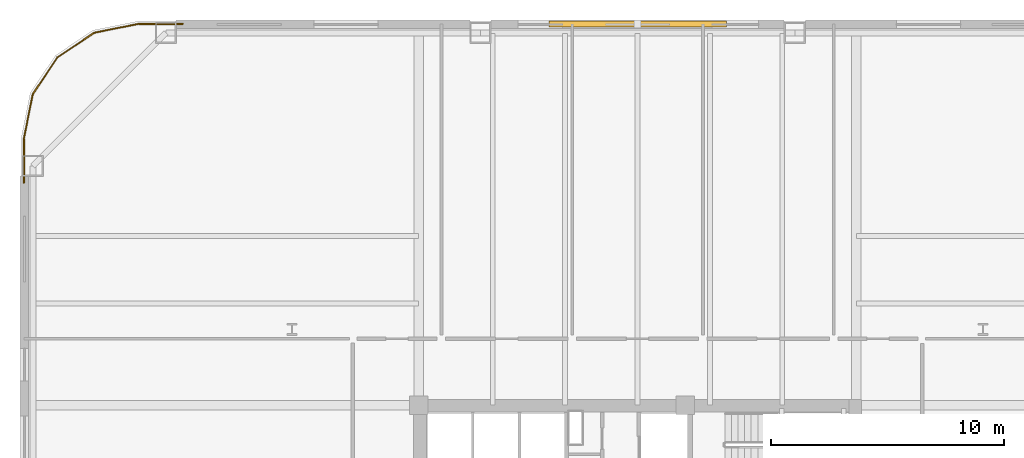
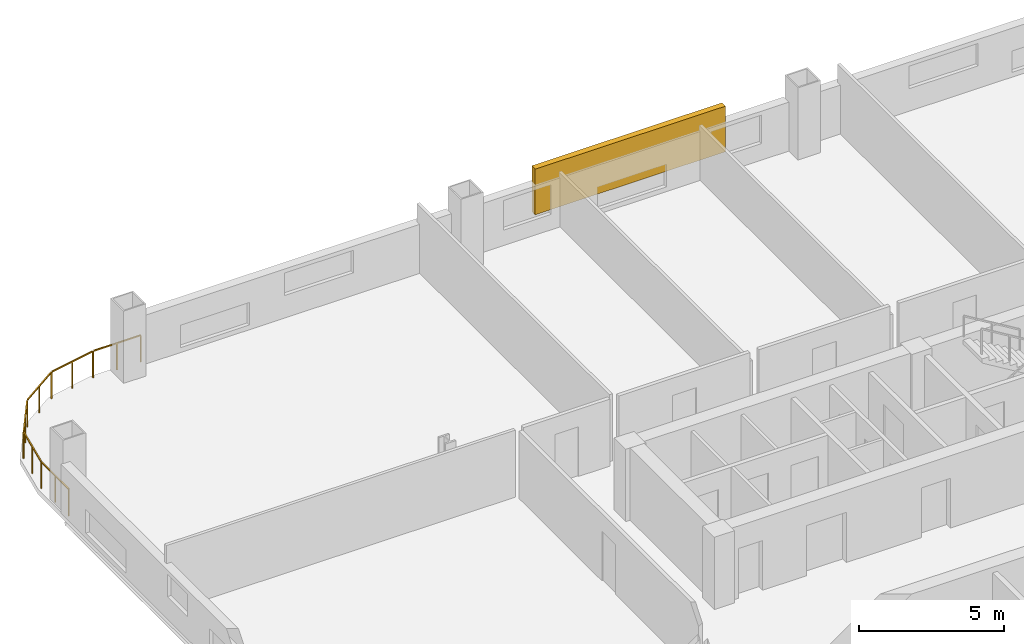
# One storey, part 11 of 12: 1 railing, 1 shading device.
"""IFC4 building model written with IfcOpenShell, lengths in metres."""

from ifc_helpers import new_model, si_unit, direction, frame, origin, origin_2d, place, context, subcontext, project, spatial, rectangle, extrude, material, type_object, element, save


model = new_model("IFC4")

# Units and contexts
model_context = context("Model", 3, precision=1e-05, world=origin(), true_north=direction((0.0, 1.0)))
body_context = subcontext(model_context, "Body", "Model", "MODEL_VIEW")
ifc_project = project(units=[si_unit("LENGTHUNIT", "METRE"), si_unit("AREAUNIT", "SQUARE_METRE"), si_unit("VOLUMEUNIT", "CUBIC_METRE"), si_unit("PLANEANGLEUNIT", "RADIAN"), si_unit("MASSUNIT", "GRAM", prefix="KILO")], contexts=[model_context])

# Site, building, storey
site_placement = place(None, origin())
site = spatial("IfcSite", under=ifc_project, at=site_placement, CompositionType="ELEMENT")
building_placement = place(site_placement, origin())
building = spatial("IfcBuilding", under=site, at=building_placement, Name="Qhalaya Broadcast Tower", CompositionType="ELEMENT")
storey_placement = place(building_placement, frame((0.0, 0.0, 41.35009765625)))
storey = spatial("IfcBuildingStorey", under=building, at=storey_placement, Name="L11", CompositionType="ELEMENT", Elevation=41.35009765625)

# Railing
ifc_material_1 = material(Name="Powder-Coated Galvanised Steel", Category="steel")
railing_type = type_object("IfcRailingType", Name="Terrace, Sky-Pool & Lookout Glass Balustrade 1150", PredefinedType="BALUSTRADE", material=ifc_material_1)
railing_placement = place(storey_placement, frame((-26.280029296875, 19.48193359375, 0.0)))
element("IfcRailing", 1, at=railing_placement, inside=storey, type_object=railing_type, Name="L11 Rounded Corner Perimeter Guard 03", PredefinedType="BALUSTRADE", context=body_context, shape_type="SweptSolid", body=[
    extrude(rectangle(XDim=0.048095703125, YDim=0.048095703125, at=origin_2d()), frame((0.0, 0.0, 1.1259765625), z_axis=(0.0, 1.0, 0.0), x_axis=(-1.0, 0.0, 0.0)), (0.0, 0.0, 1.0), 1.87744140625),
    extrude(rectangle(XDim=0.048095703125, YDim=0.048095703125, at=origin_2d()), frame((0.005615234375, 1.9345703125, 1.1259765625), z_axis=(0.195037378397, 0.980795810058, 0.0), x_axis=(-0.980795810058, 0.195037378397, 0.0)), (0.0, 0.0, 1.0), 1.857421875),
    extrude(rectangle(XDim=0.048095703125, YDim=0.048095703125, at=origin_2d()), frame((0.3896484375, 3.80859375, 1.1259765625), z_axis=(0.555558355728, 0.831477548332, 0.0), x_axis=(-0.831477548332, 0.555558355728, 0.0)), (0.0, 0.0, 1.0), 1.845458984375),
    extrude(rectangle(XDim=0.048095703125, YDim=0.048095703125, at=origin_2d()), frame((1.454833984375, 5.38330078125, 1.1259765625), z_axis=(0.831477548332, 0.555558355728, 0.0), x_axis=(-0.555558355728, 0.831477548332, 0.0)), (0.0, 0.0, 1.0), 1.845458984375),
    extrude(rectangle(XDim=0.048095703125, YDim=0.048095703125, at=origin_2d()), frame((3.041748046875, 6.43017578125, 1.1259765625), z_axis=(0.980795810058, 0.195037378397, 0.0), x_axis=(-0.195037378397, 0.980795810058, 0.0)), (0.0, 0.0, 1.0), 1.857421875),
    extrude(rectangle(XDim=0.048095703125, YDim=0.048095703125, at=origin_2d()), frame((4.920654296875, 6.798095703125, 1.1259765625), z_axis=(1.0, 0.0, 0.0), x_axis=(0.0, 1.0, 0.0)), (0.0, 0.0, 1.0), 1.87744140625),
    extrude(rectangle(XDim=0.0419921875, YDim=0.0419921875, at=origin_2d()), origin(), (0.0, 0.0, 1.0), 1.099853515625),
    extrude(rectangle(XDim=0.0419921875, YDim=0.0419921875, at=origin_2d()), frame((0.0, 0.953125, 0.0)), (0.0, 0.0, 1.0), 1.099853515625),
    extrude(rectangle(XDim=0.0419921875, YDim=0.0419921875, at=origin_2d()), frame((0.0, 1.90625, 0.0)), (0.0, 0.0, 1.0), 1.099853515625),
    extrude(rectangle(XDim=0.0419921875, YDim=0.0419921875, at=origin_2d()), frame((0.186767578125, 2.845458984375, 0.0)), (0.0, 0.0, 1.0), 1.099853515625),
    extrude(rectangle(XDim=0.0419921875, YDim=0.0419921875, at=origin_2d()), frame((0.37353515625, 3.78466796875, 0.0)), (0.0, 0.0, 1.0), 1.099853515625),
    extrude(rectangle(XDim=0.0419921875, YDim=0.0419921875, at=origin_2d()), frame((0.90234375, 4.575927734375, 0.0)), (0.0, 0.0, 1.0), 1.099853515625),
    extrude(rectangle(XDim=0.0419921875, YDim=0.0419921875, at=origin_2d()), frame((1.430908203125, 5.3671875, 0.0)), (0.0, 0.0, 1.0), 1.099853515625),
    extrude(rectangle(XDim=0.0419921875, YDim=0.0419921875, at=origin_2d()), frame((2.22216796875, 5.89599609375, 0.0)), (0.0, 0.0, 1.0), 1.099853515625),
    extrude(rectangle(XDim=0.0419921875, YDim=0.0419921875, at=origin_2d()), frame((3.013427734375, 6.424560546875, 0.0)), (0.0, 0.0, 1.0), 1.099853515625),
    extrude(rectangle(XDim=0.0419921875, YDim=0.0419921875, at=origin_2d()), frame((3.95263671875, 6.611328125, 0.0)), (0.0, 0.0, 1.0), 1.099853515625),
    extrude(rectangle(XDim=0.0419921875, YDim=0.0419921875, at=origin_2d()), frame((4.891845703125, 6.798095703125, 0.0)), (0.0, 0.0, 1.0), 1.099853515625),
    extrude(rectangle(XDim=0.0419921875, YDim=0.0419921875, at=origin_2d()), frame((5.844970703125, 6.798095703125, 0.0)), (0.0, 0.0, 1.0), 1.099853515625),
    extrude(rectangle(XDim=0.0419921875, YDim=0.0419921875, at=origin_2d()), frame((6.798095703125, 6.798095703125, 0.0)), (0.0, 0.0, 1.0), 1.099853515625),
])

# Shading device
ifc_material_2 = material(Name="Fired Architectural Terracotta", Category="masonry")
shading_device_type = type_object("IfcShadingDeviceType", Name="Terracotta Baguette Solar Screen Assembly TBS-01", PredefinedType="USERDEFINED", material=ifc_material_2)
shading_device_placement = place(storey_placement, frame((0.0, 26.280029296875, 0.79248046875), z_axis=(0.0, 0.0, 1.0), x_axis=(-1.0, 0.0, 0.0)))
element("IfcShadingDevice", 2, at=shading_device_placement, inside=storey, type_object=shading_device_type, Name="L11 Fired Terracotta Baguette Screen N", ObjectType="BAGUETTE", PredefinedType="USERDEFINED", context=body_context, shape_type="SweptSolid", body=[
    extrude(rectangle(XDim=7.60009765625, YDim=0.239990234375, at=origin_2d()), origin(), (0.0, 0.0, 1.0), 1.924072265625),
])

save(model, "model.ifc")
